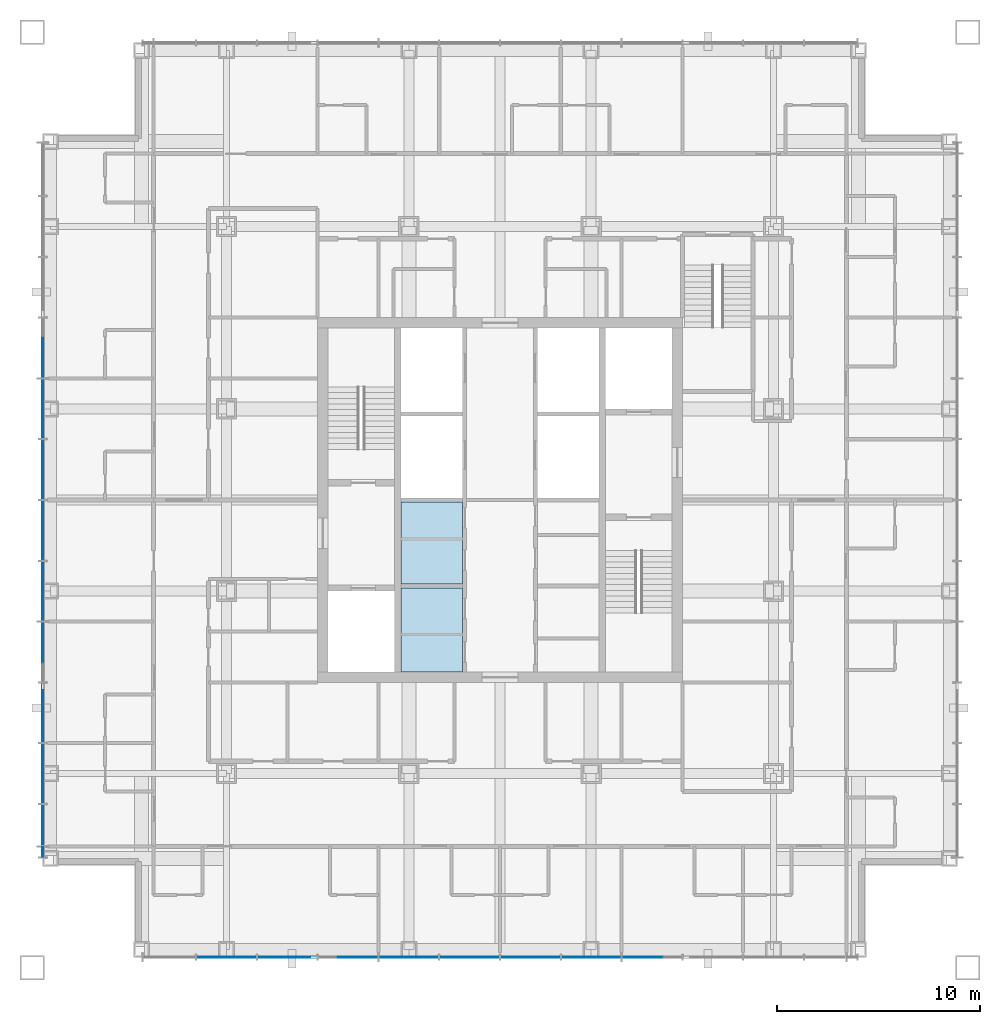
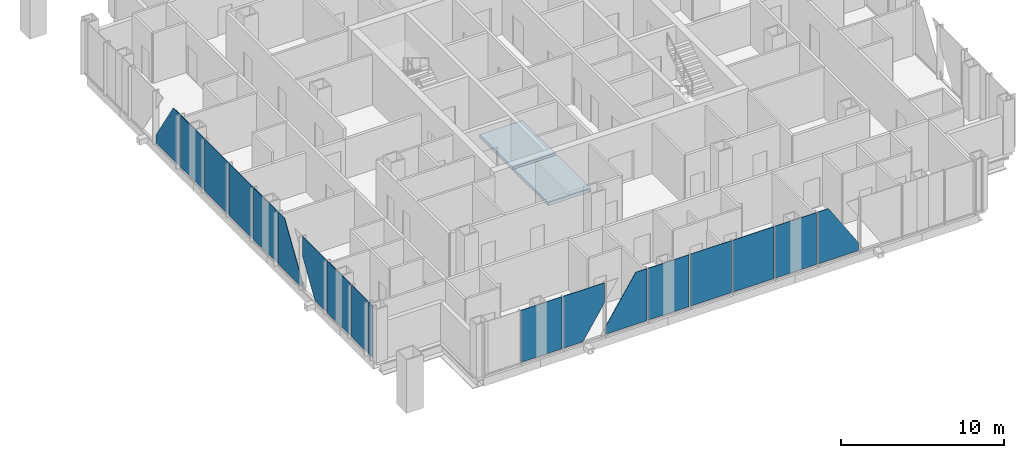
# One storey, part 6 of 21: 18 plates, 2 slabs, 2 elements without a shape of their own.
"""IFC4 building model written with IfcOpenShell, lengths in metres."""

from ifc_helpers import new_model, si_unit, direction, frame, origin, origin_2d, place, context, subcontext, project, spatial, polyline, rectangle, outline, extrude, material, layer, layer_set, type_object, element, aggregate, save


model = new_model("IFC4")

# Units and contexts
model_context = context("Model", 3, precision=1e-05, world=origin(), true_north=direction((0.0, 1.0)))
body_context = subcontext(model_context, "Body", "Model", "MODEL_VIEW")
ifc_project = project(units=[si_unit("LENGTHUNIT", "METRE"), si_unit("AREAUNIT", "SQUARE_METRE"), si_unit("VOLUMEUNIT", "CUBIC_METRE"), si_unit("PLANEANGLEUNIT", "RADIAN"), si_unit("MASSUNIT", "GRAM", prefix="KILO")], contexts=[model_context])

# Site, building, storey
site_placement = place(None, origin())
site = spatial("IfcSite", under=ifc_project, at=site_placement, CompositionType="ELEMENT")
building_placement = place(site_placement, origin())
building = spatial("IfcBuilding", under=site, at=building_placement, Name="Malebo Sky Hospital", CompositionType="ELEMENT")
storey_placement = place(building_placement, frame((0.0, 0.0, 229.0)))
storey = spatial("IfcBuildingStorey", under=building, at=storey_placement, Name="L55", CompositionType="ELEMENT", Elevation=229.0)

# Slabs
ifc_material_1 = material(Name="Concrete C40/50", Category="concrete")
ifc_layer_1 = layer(ifc_material_1, 0.25)
ifc_layer_set_1 = layer_set([ifc_layer_1], Name="SHAFT INFILL SLAB 250")
slab_type = type_object("IfcSlabType", Name="SHAFT INFILL SLAB 250", PredefinedType="FLOOR", material=ifc_layer_set_1)
slab_1_placement = place(storey_placement, frame((0.0, 0.0, -0.25)))
element("IfcSlab", 1, at=slab_1_placement, inside=storey, type_object=slab_type, Name="Shaft infill slab W1 L55", PredefinedType="FLOOR", context=body_context, shape_type="SweptSolid", body=[
    extrude(outline(polyline([(55.10009765625, 53.5), (58.14990234375, 53.5), (58.14990234375, 57.64990234375), (55.10009765625, 57.64990234375), (55.10009765625, 53.5)])), origin(), (0.0, 0.0, 1.0), 0.25),
])
slab_2_placement = place(storey_placement, frame((0.0, 0.0, -0.25)))
element("IfcSlab", 2, at=slab_2_placement, inside=storey, type_object=slab_type, Name="Shaft infill slab W2 L55", PredefinedType="FLOOR", context=body_context, shape_type="SweptSolid", body=[
    extrude(outline(polyline([(55.10009765625, 57.85009765625), (58.14990234375, 57.85009765625), (58.14990234375, 61.89990234375), (55.10009765625, 61.89990234375), (55.10009765625, 57.85009765625)])), origin(), (0.0, 0.0, 1.0), 0.25),
])

# Curtain wall, plates
ifc_material_2 = material(Name="Anodised aluminium, natural silver", Category="aluminium")
ifc_layer_2 = layer(ifc_material_2, 0.25)
ifc_layer_set_2 = layer_set([ifc_layer_2], Name="WARD CURTAIN WALL EAST AND WEST")
curtain_wall_type_1 = type_object("IfcCurtainWallType", Name="WARD CURTAIN WALL EAST AND WEST", PredefinedType="NOTDEFINED", material=ifc_layer_set_2)
curtain_wall_1_placement = place(storey_placement, origin())
curtain_wall_1 = element("IfcCurtainWall", 3, at=curtain_wall_1_placement, inside=storey, type_object=curtain_wall_type_1, Name="EW curtain wall W", PredefinedType="NOTDEFINED")
ifc_material_3 = material(Name="Clear low-iron double glazing", Category="glass")
ifc_layer_3 = layer(ifc_material_3, 0.031982421875)
ifc_layer_set_3 = layer_set([ifc_layer_3], Name="VISION PANEL CLEAR 32")
plate_type = type_object("IfcPlateType", Name="VISION PANEL CLEAR 32", PredefinedType="CURTAIN_PANEL", material=ifc_layer_set_3)
plate_1_placement = place(storey_placement, frame((37.425048828125, 44.61865234375, 0.10009765625), z_axis=(0.0, 0.0, 1.0), x_axis=(0.0, 1.0, 0.0)))
plate_1 = element("IfcPlate", 4, at=plate_1_placement, type_object=plate_type, Name="Panel 1", PredefinedType="CURTAIN_PANEL", context=body_context, shape_type="SweptSolid", body=[
    extrude(rectangle(XDim=0.487548828125, YDim=0.031982421875, at=origin_2d()), origin(), (0.0, 0.0, 1.0), 3.889892578125),
])
plate_2_placement = place(storey_placement, frame((37.425048828125, 45.949951171875, 0.10009765625), z_axis=(0.0, 0.0, 1.0), x_axis=(0.0, 1.0, 0.0)))
plate_2 = element("IfcPlate", 5, at=plate_2_placement, type_object=plate_type, Name="Panel 2", PredefinedType="CURTAIN_PANEL", context=body_context, shape_type="SweptSolid", body=[
    extrude(rectangle(XDim=2.02490234375, YDim=0.031982421875, at=origin_2d()), origin(), (0.0, 0.0, 1.0), 3.889892578125),
])
plate_3_placement = place(storey_placement, frame((37.425048828125, 48.5, 0.10009765625), z_axis=(0.0, 0.0, 1.0), x_axis=(0.0, 1.0, 0.0)))
plate_3 = element("IfcPlate", 6, at=plate_3_placement, type_object=plate_type, Name="Panel 3", PredefinedType="CURTAIN_PANEL", context=body_context, shape_type="SweptSolid", body=[
    extrude(rectangle(XDim=2.925048828125, YDim=0.031982421875, at=origin_2d()), origin(), (0.0, 0.0, 1.0), 3.889892578125),
])
plate_4_placement = place(storey_placement, frame((37.425048828125, 51.5, 0.10009765625), z_axis=(0.0, 0.0, 1.0), x_axis=(0.0, 1.0, 0.0)))
plate_4 = element("IfcPlate", 7, at=plate_4_placement, type_object=plate_type, Name="Panel 4", PredefinedType="CURTAIN_PANEL", context=body_context, shape_type="SweptSolid", body=[
    extrude(outline(polyline([(-1.46240234375, 0.0), (-0.0703125, 0.0), (1.46240234375, 2.388916015625), (1.46240234375, 3.889892578125), (-1.46240234375, 3.889892578125), (-1.46240234375, 0.0)])), frame((0.0, 0.01611328125, 0.0), z_axis=(0.0, -1.0, 0.0), x_axis=(1.0, 0.0, 0.0)), (0.0, 0.0, 1.0), 0.031982421875),
])
plate_5_placement = place(storey_placement, frame((37.425048828125, 54.5, 0.10009765625), z_axis=(0.0, 0.0, 1.0), x_axis=(0.0, 1.0, 0.0)))
plate_5 = element("IfcPlate", 8, at=plate_5_placement, type_object=plate_type, Name="Panel 5", PredefinedType="CURTAIN_PANEL", context=body_context, shape_type="SweptSolid", body=[
    extrude(outline(polyline([(-1.46240234375, 0.0), (1.46240234375, 0.0), (1.46240234375, 3.889892578125), (0.674560546875, 3.889892578125), (-1.46240234375, 0.5595703125), (-1.46240234375, 0.0)])), frame((0.0, 0.01611328125, 0.0), z_axis=(0.0, -1.0, 0.0), x_axis=(1.0, 0.0, 0.0)), (0.0, 0.0, 1.0), 0.031982421875),
])
plate_6_placement = place(storey_placement, frame((37.425048828125, 57.5, 0.10009765625), z_axis=(0.0, 0.0, 1.0), x_axis=(0.0, 1.0, 0.0)))
plate_6 = element("IfcPlate", 9, at=plate_6_placement, type_object=plate_type, Name="Panel 6", PredefinedType="CURTAIN_PANEL", context=body_context, shape_type="SweptSolid", body=[
    extrude(rectangle(XDim=2.925048828125, YDim=0.031982421875, at=origin_2d()), origin(), (0.0, 0.0, 1.0), 3.889892578125),
])
plate_7_placement = place(storey_placement, frame((37.425048828125, 60.5, 0.10009765625), z_axis=(0.0, 0.0, 1.0), x_axis=(0.0, 1.0, 0.0)))
plate_7 = element("IfcPlate", 10, at=plate_7_placement, type_object=plate_type, Name="Panel 7", PredefinedType="CURTAIN_PANEL", context=body_context, shape_type="SweptSolid", body=[
    extrude(rectangle(XDim=2.925048828125, YDim=0.031982421875, at=origin_2d()), origin(), (0.0, 0.0, 1.0), 3.889892578125),
])
plate_8_placement = place(storey_placement, frame((37.425048828125, 63.5, 0.10009765625), z_axis=(0.0, 0.0, 1.0), x_axis=(0.0, 1.0, 0.0)))
plate_8 = element("IfcPlate", 11, at=plate_8_placement, type_object=plate_type, Name="Panel 8", PredefinedType="CURTAIN_PANEL", context=body_context, shape_type="SweptSolid", body=[
    extrude(rectangle(XDim=2.925048828125, YDim=0.031982421875, at=origin_2d()), origin(), (0.0, 0.0, 1.0), 3.889892578125),
])
plate_9_placement = place(storey_placement, frame((37.425048828125, 66.5, 0.10009765625), z_axis=(0.0, 0.0, 1.0), x_axis=(0.0, 1.0, 0.0)))
plate_9 = element("IfcPlate", 12, at=plate_9_placement, type_object=plate_type, Name="Panel 9", PredefinedType="CURTAIN_PANEL", context=body_context, shape_type="SweptSolid", body=[
    extrude(rectangle(XDim=2.925048828125, YDim=0.031982421875, at=origin_2d()), origin(), (0.0, 0.0, 1.0), 3.889892578125),
])
plate_10_placement = place(storey_placement, frame((37.425048828125, 69.5, 0.10009765625), z_axis=(0.0, 0.0, 1.0), x_axis=(0.0, 1.0, 0.0)))
plate_10 = element("IfcPlate", 13, at=plate_10_placement, type_object=plate_type, Name="Panel 10", PredefinedType="CURTAIN_PANEL", context=body_context, shape_type="SweptSolid", body=[
    extrude(outline(polyline([(-1.46240234375, 0.0), (1.46240234375, 0.0), (1.46240234375, 0.5595703125), (-0.674560546875, 3.889892578125), (-1.46240234375, 3.889892578125), (-1.46240234375, 0.0)])), frame((0.0, 0.01611328125, 0.0), z_axis=(0.0, -1.0, 0.0), x_axis=(1.0, 0.0, 0.0)), (0.0, 0.0, 1.0), 0.031982421875),
])
aggregate(curtain_wall_1, [plate_1, plate_2, plate_3, plate_4, plate_5, plate_6, plate_7, plate_8, plate_9, plate_10])

ifc_layer_4 = layer(ifc_material_2, 0.25)
ifc_layer_set_4 = layer_set([ifc_layer_4], Name="WARD CURTAIN WALL NORTH AND SOUTH")
curtain_wall_type_2 = type_object("IfcCurtainWallType", Name="WARD CURTAIN WALL NORTH AND SOUTH", PredefinedType="NOTDEFINED", material=ifc_layer_set_4)
curtain_wall_2_placement = place(storey_placement, origin())
curtain_wall_2 = element("IfcCurtainWall", 14, at=curtain_wall_2_placement, inside=storey, type_object=curtain_wall_type_2, Name="NS curtain wall S", PredefinedType="NOTDEFINED")
plate_11_placement = place(storey_placement, frame((67.5, 39.425048828125, 0.10009765625), z_axis=(0.0, 0.0, 1.0), x_axis=(-1.0, 0.0, 0.0)))
plate_11 = element("IfcPlate", 15, at=plate_11_placement, type_object=plate_type, Name="Panel 5", PredefinedType="CURTAIN_PANEL", context=body_context, shape_type="SweptSolid", body=[
    extrude(outline(polyline([(-1.46240234375, 0.0), (1.46240234375, 0.0), (1.46240234375, 3.889892578125), (0.674560546875, 3.889892578125), (-1.46240234375, 0.5595703125), (-1.46240234375, 0.0)])), frame((0.0, 0.01611328125, 0.0), z_axis=(0.0, -1.0, 0.0), x_axis=(1.0, 0.0, 0.0)), (0.0, 0.0, 1.0), 0.031982421875),
])
plate_12_placement = place(storey_placement, frame((64.5, 39.425048828125, 0.10009765625), z_axis=(0.0, 0.0, 1.0), x_axis=(-1.0, 0.0, 0.0)))
plate_12 = element("IfcPlate", 16, at=plate_12_placement, type_object=plate_type, Name="Panel 6", PredefinedType="CURTAIN_PANEL", context=body_context, shape_type="SweptSolid", body=[
    extrude(rectangle(XDim=2.925048828125, YDim=0.031982421875, at=origin_2d()), origin(), (0.0, 0.0, 1.0), 3.889892578125),
])
plate_13_placement = place(storey_placement, frame((61.5, 39.425048828125, 0.10009765625), z_axis=(0.0, 0.0, 1.0), x_axis=(-1.0, 0.0, 0.0)))
plate_13 = element("IfcPlate", 17, at=plate_13_placement, type_object=plate_type, Name="Panel 7", PredefinedType="CURTAIN_PANEL", context=body_context, shape_type="SweptSolid", body=[
    extrude(rectangle(XDim=2.925048828125, YDim=0.031982421875, at=origin_2d()), origin(), (0.0, 0.0, 1.0), 3.889892578125),
])
plate_14_placement = place(storey_placement, frame((58.5, 39.425048828125, 0.10009765625), z_axis=(0.0, 0.0, 1.0), x_axis=(-1.0, 0.0, 0.0)))
plate_14 = element("IfcPlate", 18, at=plate_14_placement, type_object=plate_type, Name="Panel 8", PredefinedType="CURTAIN_PANEL", context=body_context, shape_type="SweptSolid", body=[
    extrude(rectangle(XDim=2.925048828125, YDim=0.031982421875, at=origin_2d()), origin(), (0.0, 0.0, 1.0), 3.889892578125),
])
plate_15_placement = place(storey_placement, frame((55.5, 39.425048828125, 0.10009765625), z_axis=(0.0, 0.0, 1.0), x_axis=(-1.0, 0.0, 0.0)))
plate_15 = element("IfcPlate", 19, at=plate_15_placement, type_object=plate_type, Name="Panel 9", PredefinedType="CURTAIN_PANEL", context=body_context, shape_type="SweptSolid", body=[
    extrude(rectangle(XDim=2.925048828125, YDim=0.031982421875, at=origin_2d()), origin(), (0.0, 0.0, 1.0), 3.889892578125),
])
plate_16_placement = place(storey_placement, frame((52.5, 39.425048828125, 0.10009765625), z_axis=(0.0, 0.0, 1.0), x_axis=(-1.0, 0.0, 0.0)))
plate_16 = element("IfcPlate", 20, at=plate_16_placement, type_object=plate_type, Name="Panel 10", PredefinedType="CURTAIN_PANEL", context=body_context, shape_type="SweptSolid", body=[
    extrude(outline(polyline([(-1.46240234375, 0.0), (1.46240234375, 0.0), (1.46240234375, 0.5595703125), (-0.674560546875, 3.889892578125), (-1.46240234375, 3.889892578125), (-1.46240234375, 0.0)])), frame((0.0, 0.01611328125, 0.0), z_axis=(0.0, -1.0, 0.0), x_axis=(1.0, 0.0, 0.0)), (0.0, 0.0, 1.0), 0.031982421875),
])
plate_17_placement = place(storey_placement, frame((49.5, 39.425048828125, 0.10009765625), z_axis=(0.0, 0.0, 1.0), x_axis=(-1.0, 0.0, 0.0)))
plate_17 = element("IfcPlate", 21, at=plate_17_placement, type_object=plate_type, Name="Panel 11", PredefinedType="CURTAIN_PANEL", context=body_context, shape_type="SweptSolid", body=[
    extrude(outline(polyline([(0.0703125, 0.0), (1.46240234375, 0.0), (1.46240234375, 3.889892578125), (-1.46240234375, 3.889892578125), (-1.46240234375, 2.388916015625), (0.0703125, 0.0)])), frame((0.0, 0.01611328125, 0.0), z_axis=(0.0, -1.0, 0.0), x_axis=(1.0, 0.0, 0.0)), (0.0, 0.0, 1.0), 0.031982421875),
])
plate_18_placement = place(storey_placement, frame((46.5, 39.425048828125, 0.10009765625), z_axis=(0.0, 0.0, 1.0), x_axis=(-1.0, 0.0, 0.0)))
plate_18 = element("IfcPlate", 22, at=plate_18_placement, type_object=plate_type, Name="Panel 12", PredefinedType="CURTAIN_PANEL", context=body_context, shape_type="SweptSolid", body=[
    extrude(rectangle(XDim=2.925048828125, YDim=0.031982421875, at=origin_2d()), origin(), (0.0, 0.0, 1.0), 3.889892578125),
])
aggregate(curtain_wall_2, [plate_11, plate_12, plate_13, plate_14, plate_15, plate_16, plate_17, plate_18])

save(model, "model.ifc")
